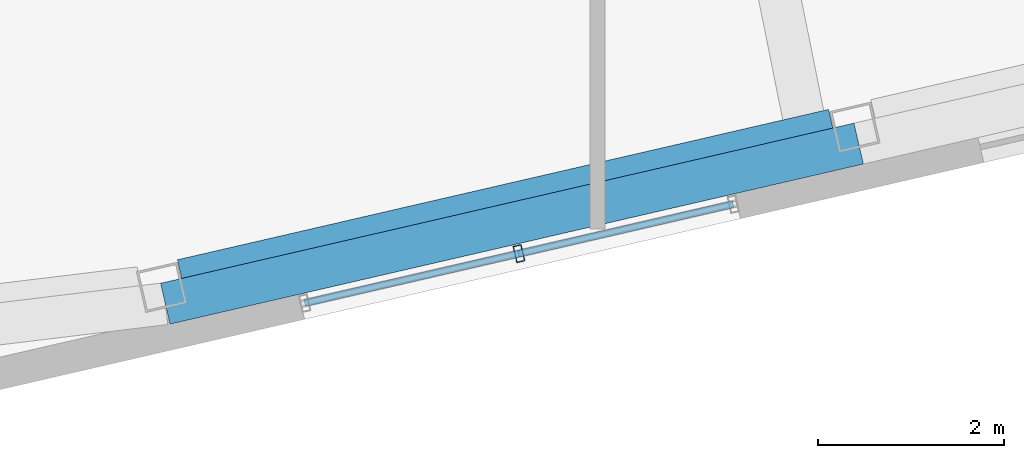
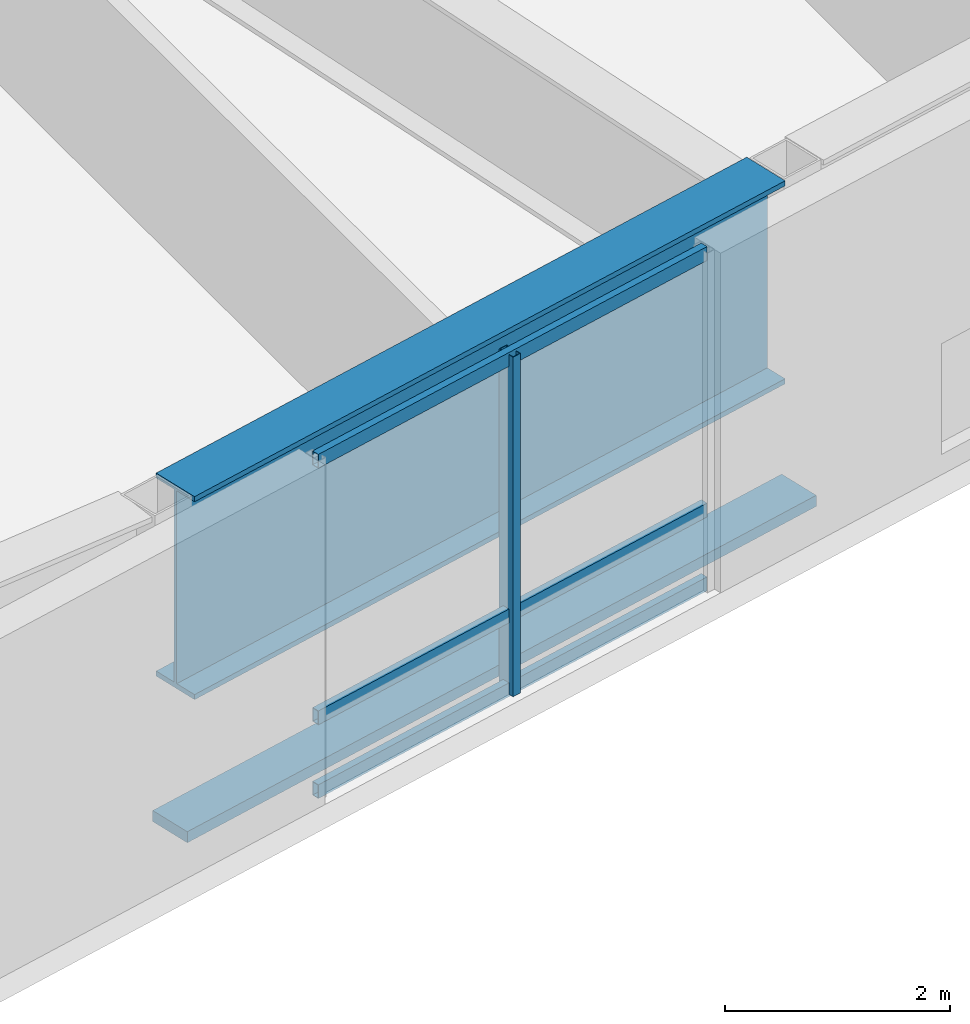
# One storey, part 8 of 23: 5 members, 1 beam, 1 element without a shape of its own.
"""IFC4 building model written with IfcOpenShell, lengths in metres."""

import ifcopenshell
import ifcopenshell.guid

model = None  # the IFC model being written
_history = None  # IfcOwnerHistory: only IFC2X3 demands one
_inside = {}  # id of a spatial element -> (the spatial element, [elements in it])
_under = {}  # id of a project, library or spatial element -> (it, [spatial elements below it])
_declared = {}  # id of a project -> (the project, [libraries it declares])
_typed = {}  # id of a type object -> (the type object, [elements of that type])
_made_of = {}  # id of a material, layer set ... -> (it, [elements and type objects made of it])


def new_model(schema):
    """Start an empty IFC model of exactly this schema.

    Asked for "IFC4X3", IfcOpenShell would pick the latest addendum, in which some entities
    have other attributes; the version numbers below select the first issue.
    IFC2X3 requires an IfcOwnerHistory on every rooted entity: one is made here for all.
    """
    global model, _history
    if schema == "IFC4X3":
        model = ifcopenshell.file(schema_version=(4, 3, 0, 0))
    else:
        model = ifcopenshell.file(schema=schema)
    _inside.clear()
    _under.clear()
    _declared.clear()
    _typed.clear()
    _made_of.clear()
    _history = None
    if model.schema == "IFC2X3":
        org = make("IfcOrganization", Name="unknown")
        user = make(
            "IfcPersonAndOrganization",
            ThePerson=make("IfcPerson", FamilyName="unknown"),
            TheOrganization=org,
        )
        app = make(
            "IfcApplication",
            ApplicationDeveloper=org,
            Version="unknown",
            ApplicationFullName="unknown",
            ApplicationIdentifier="unknown",
        )
        _history = make(
            "IfcOwnerHistory",
            OwningUser=user,
            OwningApplication=app,
            ChangeAction="ADDED",
            CreationDate=0,
        )
    return model


def make(cls, **values):
    """One entity of the class cls with the attributes given. An attribute that is None is left unset."""
    return model.create_entity(
        cls, **{name: value for name, value in values.items() if value is not None}
    )


def rooted(cls, **values):
    """An entity with a GlobalId (a new one), such as an element, a storey or a relation."""
    return make(cls, GlobalId=ifcopenshell.guid.new(), OwnerHistory=_history, **values)


def si_unit(unit_type, name, prefix=None):
    """IfcSIUnit, for example si_unit("LENGTHUNIT", "METRE", prefix="MILLI")."""
    return make("IfcSIUnit", UnitType=unit_type, Prefix=prefix, Name=name)


def assignment(units):
    """IfcUnitAssignment: the units of a project."""
    return None if units is None else make("IfcUnitAssignment", Units=units)


def point(xyz):
    """IfcCartesianPoint."""
    return None if xyz is None else make("IfcCartesianPoint", Coordinates=xyz)


def direction(xyz):
    """IfcDirection."""
    return None if xyz is None else make("IfcDirection", DirectionRatios=xyz)


def frame(location, z_axis=None, x_axis=None):
    """IfcAxis2Placement3D, a coordinate frame: its origin and axes. An axis left out is left unset."""
    return make(
        "IfcAxis2Placement3D",
        Location=point(location),
        Axis=direction(z_axis),
        RefDirection=direction(x_axis),
    )


def frame_2d(location, x_axis=None):
    """IfcAxis2Placement2D, a coordinate frame in the plane: its origin and x axis."""
    return make(
        "IfcAxis2Placement2D", Location=point(location), RefDirection=direction(x_axis)
    )


def origin():
    """The frame at (0, 0, 0) with its axes left unset."""
    return frame((0.0, 0.0, 0.0))


def origin_2d():
    """The frame at (0, 0) in the plane with its x axis left unset."""
    return frame_2d((0.0, 0.0))


def place(relative_to, where):
    """IfcLocalPlacement: puts the frame where relative to a parent placement (None: the world)."""
    return make(
        "IfcLocalPlacement", PlacementRelTo=relative_to, RelativePlacement=where
    )


def context(
    kind, dimensions, precision=None, world=None, true_north=None, identifier=None
):
    """IfcGeometricRepresentationContext, for example the 3D "Model" context."""
    return make(
        "IfcGeometricRepresentationContext",
        ContextIdentifier=identifier,
        ContextType=kind,
        CoordinateSpaceDimension=dimensions,
        Precision=precision,
        WorldCoordinateSystem=world,
        TrueNorth=true_north,
    )


def subcontext(parent, identifier, kind, view, scale=None):
    """IfcGeometricRepresentationSubContext, for example "Body" below "Model"."""
    return make(
        "IfcGeometricRepresentationSubContext",
        ContextIdentifier=identifier,
        ContextType=kind,
        ParentContext=parent,
        TargetScale=scale,
        TargetView=view,
    )


def project(units=None, contexts=None):
    """IfcProject with its units and contexts."""
    return rooted(
        "IfcProject",
        Name="project",
        RepresentationContexts=contexts,
        UnitsInContext=assignment(units),
    )


def spatial(cls, under=None, at=None, **own):
    """A site, building, storey or space (cls), placed at a placement, below another one or the project."""
    s = rooted(cls, ObjectPlacement=at, **own)
    if under is not None:
        _under.setdefault(under.id(), (under, []))[1].append(s)
    return s


def profile(cls, at=None, kind="AREA", **sizes):
    """A parametric profile (cls). Its sizes go by their IFC names, for example OverallWidth=200.0."""
    return make(cls, ProfileType=kind, Position=at, **sizes)


def rectangle(**sizes):
    """IfcRectangleProfileDef."""
    return profile("IfcRectangleProfileDef", **sizes)


def hollow_rectangle(**sizes):
    """IfcRectangleHollowProfileDef."""
    return profile("IfcRectangleHollowProfileDef", **sizes)


def i_section(**sizes):
    """IfcIShapeProfileDef."""
    return profile("IfcIShapeProfileDef", **sizes)


def extrude(swept, where, along, depth):
    """IfcExtrudedAreaSolid: the profile swept, set in the frame where, extruded along a direction by depth."""
    return make(
        "IfcExtrudedAreaSolid",
        SweptArea=swept,
        Position=where,
        ExtrudedDirection=direction(along),
        Depth=depth,
    )


def shape(context_of_items, identifier, shape_type, items):
    """IfcShapeRepresentation: the items that make up one representation, for example the "Body"."""
    return make(
        "IfcShapeRepresentation",
        ContextOfItems=context_of_items,
        RepresentationIdentifier=identifier,
        RepresentationType=shape_type,
        Items=items,
    )


def material(Name=None, Category=None):
    """IfcMaterial."""
    return make("IfcMaterial", Name=Name, Category=Category)


def layer(
    of_material, thickness, ventilated=None, Name=None, Category=None, Priority=None
):
    """IfcMaterialLayer: one layer of a wall or slab, of a material (None: an air gap)."""
    return make(
        "IfcMaterialLayer",
        Material=of_material,
        LayerThickness=thickness,
        IsVentilated=ventilated,
        Name=Name,
        Category=Category,
        Priority=Priority,
    )


def layer_set(layers, Name=None):
    """IfcMaterialLayerSet."""
    return make("IfcMaterialLayerSet", MaterialLayers=layers, LayerSetName=Name)


def material_profile(
    of_material, cross_section, Name=None, Category=None, Priority=None
):
    """IfcMaterialProfile: a cross section and its material."""
    return make(
        "IfcMaterialProfile",
        Name=Name,
        Material=of_material,
        Profile=cross_section,
        Priority=Priority,
        Category=Category,
    )


def profile_set(profiles, Name=None, composite=None):
    """IfcMaterialProfileSet."""
    return make(
        "IfcMaterialProfileSet",
        Name=Name,
        MaterialProfiles=profiles,
        CompositeProfile=composite,
    )


def made_of(thing, what):
    """Note that an element or type object is made of a material, layer set ...; save() writes the relation."""
    if what is not None:
        _made_of.setdefault(what.id(), (what, []))[1].append(thing)
    return thing


def type_object(cls, material=None, **own):
    """A type object (cls), such as IfcWallType, which elements share."""
    return made_of(rooted(cls, **own), material)


def element(
    cls,
    number,
    at=None,
    inside=None,
    cuts=None,
    type_object=None,
    material=None,
    context=None,
    identifier="Body",
    shape_type=None,
    held_by="IfcProductDefinitionShape",
    body=None,
    shapes=None,
    **own,
):
    """One element of the class cls, such as IfcWall. Its Tag is "e" and its number.

    at: its placement. inside: the storey or other place that contains it. cuts: it is an
    opening in that element (IfcRelVoidsElement). A single representation is given by context,
    identifier, shape_type and body (its items); several are given by shapes. held_by: the class
    of the entity that holds the representations. save() writes the other relations.
    """
    e = rooted(cls, Tag="e%d" % number, ObjectPlacement=at, **own)
    if body is not None:
        shapes = [shape(context, identifier, shape_type, body)]
    if shapes is not None:
        e.Representation = make(held_by, Representations=shapes)
    if inside is not None:
        _inside.setdefault(inside.id(), (inside, []))[1].append(e)
    if cuts is not None:
        rooted(
            "IfcRelVoidsElement", RelatingBuildingElement=cuts, RelatedOpeningElement=e
        )
    if type_object is not None:
        _typed.setdefault(type_object.id(), (type_object, []))[1].append(e)
    return made_of(e, material)


def aggregate(whole, parts):
    """IfcRelAggregates: a whole, such as a stair, and the parts it consists of."""
    return rooted("IfcRelAggregates", RelatingObject=whole, RelatedObjects=parts)


def save(model, path):
    """Write the relations noted so far, then the file.

    IfcRelAggregates (storeys below a building ...), IfcRelContainedInSpatialStructure (elements
    in a storey), IfcRelDefinesByType, IfcRelAssociatesMaterial and IfcRelDeclares: one each for
    every whole, place, type object, material and project.
    """
    for whole, parts in _under.values():
        aggregate(whole, parts)
    for where, things in _inside.values():
        rooted(
            "IfcRelContainedInSpatialStructure",
            RelatedElements=things,
            RelatingStructure=where,
        )
    for kind, things in _typed.values():
        rooted("IfcRelDefinesByType", RelatedObjects=things, RelatingType=kind)
    for what, things in _made_of.values():
        rooted("IfcRelAssociatesMaterial", RelatedObjects=things, RelatingMaterial=what)
    for by, libraries in _declared.values():
        rooted("IfcRelDeclares", RelatingContext=by, RelatedDefinitions=libraries)
    model.write(path)


model = new_model("IFC4")

# Units and contexts
model_context = context("Model", 3, precision=1e-05, world=origin(), true_north=direction((0.0, 1.0)))
body_context = subcontext(model_context, "Body", "Model", "MODEL_VIEW")
ifc_project = project(units=[si_unit("LENGTHUNIT", "METRE"), si_unit("AREAUNIT", "SQUARE_METRE"), si_unit("VOLUMEUNIT", "CUBIC_METRE"), si_unit("PLANEANGLEUNIT", "RADIAN"), si_unit("MASSUNIT", "GRAM", prefix="KILO")], contexts=[model_context])

# Site, building, storey
site_placement = place(None, origin())
site = spatial("IfcSite", under=ifc_project, at=site_placement, CompositionType="ELEMENT")
building_placement = place(site_placement, origin())
building = spatial("IfcBuilding", under=site, at=building_placement, Name="Tavrogorsk Clinical Tower", CompositionType="ELEMENT")
storey_placement = place(building_placement, frame((0.0, 0.0, 329.0)))
storey = spatial("IfcBuildingStorey", under=building, at=storey_placement, Name="L77", CompositionType="ELEMENT", Elevation=329.0)

# Member
ifc_material_1 = material(Name="Anodised aluminium alloy AW-6063", Category="aluminium")
ifc_material_profile_1 = material_profile(ifc_material_1, rectangle(XDim=0.449951171875, YDim=0.1201171875, at=origin_2d()), Name="ALU-SUNSHADE-450x120")
ifc_profile_set_1 = profile_set([ifc_material_profile_1], Name="Anodised aluminium alloy AW-6063")
member_type_1 = type_object("IfcMemberType", Name="ChicagoSunshade_450x120", PredefinedType="USERDEFINED", material=ifc_profile_set_1)
member_1_placement = place(storey_placement, frame((6.313232421875, -22.572509765625, 0.179931640625), z_axis=(0.97436370007, 0.224978621176, 0.0), x_axis=(-0.224978621176, 0.97436370007, 0.0)))
element("IfcMember", 1, at=member_1_placement, inside=storey, type_object=member_type_1, Name="L77 South Aluminium Sunshade S5", ObjectType="SUNSHADE", PredefinedType="USERDEFINED", context=body_context, shape_type="SweptSolid", body=[
    extrude(rectangle(XDim=0.449951171875, YDim=0.1201171875, at=origin_2d()), origin(), (0.0, 0.0, 1.0), 7.63427734375),
])

# Curtain wall, members
ifc_material_2 = material(Name="Anodised aluminium and triple IGU glazing", Category="aluminium")
ifc_layer = layer(ifc_material_2, 0.179931640625)
ifc_layer_set = layer_set([ifc_layer], Name="Anodised aluminium and triple IGU glazing")
curtain_wall_type = type_object("IfcCurtainWallType", Name="CW3_SouthSlot", PredefinedType="NOTDEFINED", material=ifc_layer_set)
curtain_wall_placement = place(storey_placement, origin())
curtain_wall = element("IfcCurtainWall", 2, at=curtain_wall_placement, inside=storey, type_object=curtain_wall_type, Name="L77 Curtain Wall CW-L77-S-SLOT-2", PredefinedType="NOTDEFINED")
ifc_material_3 = material(Name="Anodised aluminium alloy AW-6060", Category="aluminium")
ifc_material_profile_2 = material_profile(ifc_material_3, hollow_rectangle(XDim=0.090087890625, YDim=0.179931640625, WallThickness=0.00634765625, at=origin_2d()), Name="RHS-180x90x6.3")
ifc_profile_set_2 = profile_set([ifc_material_profile_2], Name="Anodised aluminium alloy AW-6060")
member_type_2 = type_object("IfcMemberType", Name="CwMullion_180x90", PredefinedType="MULLION", material=ifc_profile_set_2)
member_2_placement = place(storey_placement, frame((10.106689453125, -22.03515625, 0.0), z_axis=(0.0, 0.0, 1.0), x_axis=(0.974370057377, 0.224951086434, 0.0)))
member_2 = element("IfcMember", 3, at=member_2_placement, type_object=member_type_2, Name="CW-L77-S-SLOT-2 Mullion 2", PredefinedType="MULLION", context=body_context, shape_type="SweptSolid", body=[
    extrude(hollow_rectangle(XDim=0.090087890625, YDim=0.179931640625, WallThickness=0.00634765625, at=origin_2d()), origin(), (0.0, 0.0, 1.0), 3.679931640625),
])
ifc_material_4 = material(Name="Anodised aluminium alloy AW-6060", Category="aluminium")
ifc_material_profile_3 = material_profile(ifc_material_4, hollow_rectangle(XDim=0.074951171875, YDim=0.14990234375, WallThickness=0.0048828125, at=origin_2d()), Name="RHS-150x75x5")
ifc_profile_set_3 = profile_set([ifc_material_profile_3], Name="Anodised aluminium alloy AW-6060")
member_type_3 = type_object("IfcMemberType", Name="CwTransom_150x75", PredefinedType="USERDEFINED", material=ifc_profile_set_3)
member_3_placement = place(storey_placement, frame((7.80810546875, -22.56591796875, 0.050048828125), z_axis=(0.974372877948, 0.22493886885, 0.0), x_axis=(-0.22493886885, 0.974372877948, 0.0)))
member_3 = element("IfcMember", 4, at=member_3_placement, type_object=member_type_3, Name="CW-L77-S-SLOT-2 Transom 1", ObjectType="TRANSOM", PredefinedType="USERDEFINED", context=body_context, shape_type="SweptSolid", body=[
    extrude(hollow_rectangle(XDim=0.074951171875, YDim=0.14990234375, WallThickness=0.0048828125, at=origin_2d()), origin(), (0.0, 0.0, 1.0), 4.718017578125),
])
member_4_placement = place(storey_placement, frame((7.80810546875, -22.56591796875, 0.85009765625), z_axis=(0.974372877948, 0.22493886885, 0.0), x_axis=(-0.22493886885, 0.974372877948, 0.0)))
member_4 = element("IfcMember", 5, at=member_4_placement, type_object=member_type_3, Name="CW-L77-S-SLOT-2 Transom 2", ObjectType="TRANSOM", PredefinedType="USERDEFINED", context=body_context, shape_type="SweptSolid", body=[
    extrude(hollow_rectangle(XDim=0.074951171875, YDim=0.14990234375, WallThickness=0.0048828125, at=origin_2d()), origin(), (0.0, 0.0, 1.0), 4.718017578125),
])
member_5_placement = place(storey_placement, frame((7.80810546875, -22.56591796875, 3.6298828125), z_axis=(0.974372877948, 0.22493886885, 0.0), x_axis=(-0.22493886885, 0.974372877948, 0.0)))
member_5 = element("IfcMember", 6, at=member_5_placement, type_object=member_type_3, Name="CW-L77-S-SLOT-2 Transom 3", ObjectType="TRANSOM", PredefinedType="USERDEFINED", context=body_context, shape_type="SweptSolid", body=[
    extrude(hollow_rectangle(XDim=0.074951171875, YDim=0.14990234375, WallThickness=0.0048828125, at=origin_2d()), origin(), (0.0, 0.0, 1.0), 4.718017578125),
])
aggregate(curtain_wall, [member_2, member_3, member_4, member_5])

# Beam
ifc_material_5 = material(Name="Structural steel S440", Category="steel")
ifc_material_profile_4 = material_profile(ifc_material_5, i_section(OverallWidth=0.5, OverallDepth=2.199951171875, WebThickness=0.035888671875, FlangeThickness=0.054931640625, at=origin_2d()), Name="DK-2200x500x36x55")
ifc_profile_set_4 = profile_set([ifc_material_profile_4], Name="Structural steel S440")
beam_type = type_object("IfcBeamType", Name="TransferGirder_DK2200", PredefinedType="USERDEFINED", material=ifc_profile_set_4)
beam_placement = place(storey_placement, frame((6.499755859375, -22.344482421875, 2.580078125), z_axis=(0.974369378592, 0.224954026551, 0.0), x_axis=(-0.224954026551, 0.974369378592, 0.0)))
element("IfcBeam", 7, at=beam_placement, inside=storey, type_object=beam_type, Name="L77 Perimeter Spandrel S5-S6", ObjectType="GIRDER", PredefinedType="USERDEFINED", context=body_context, shape_type="SweptSolid", body=[
    extrude(i_section(OverallWidth=0.5, OverallDepth=2.199951171875, WebThickness=0.035888671875, FlangeThickness=0.054931640625, at=origin_2d()), origin(), (0.0, 0.0, 1.0), 7.16845703125),
])

save(model, "model.ifc")
